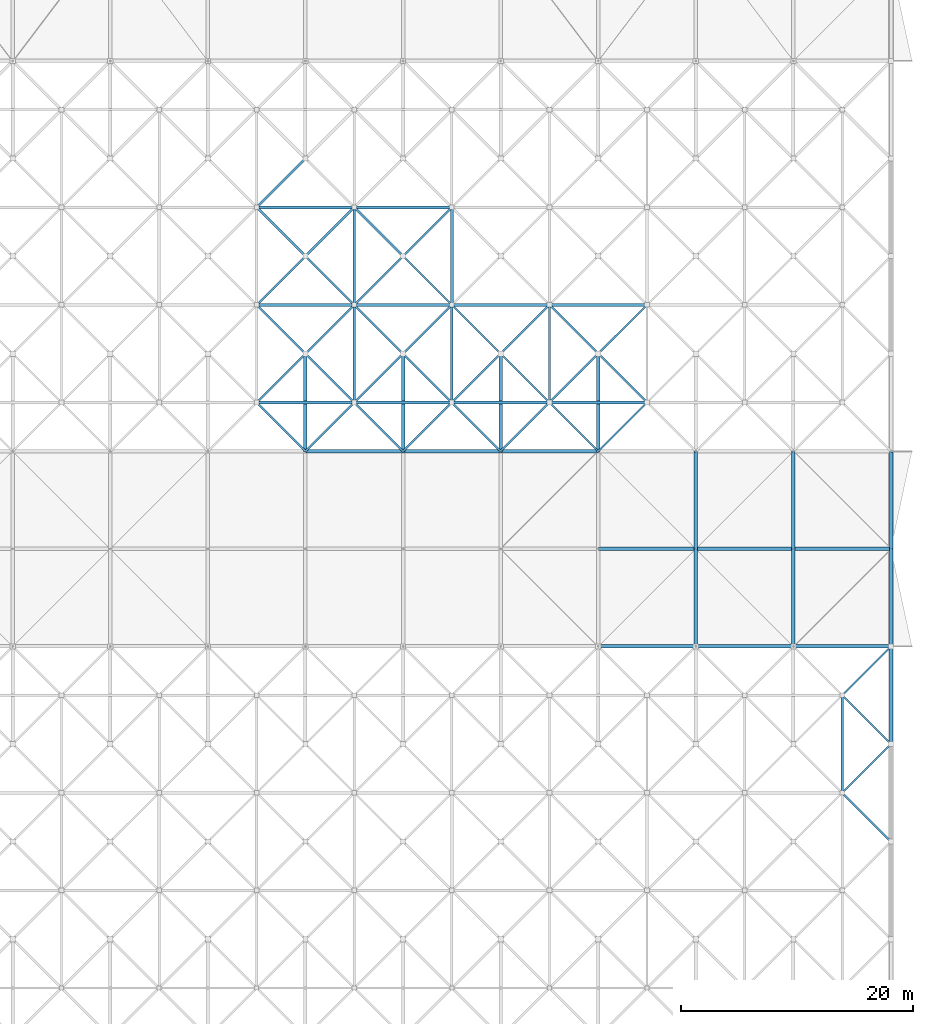
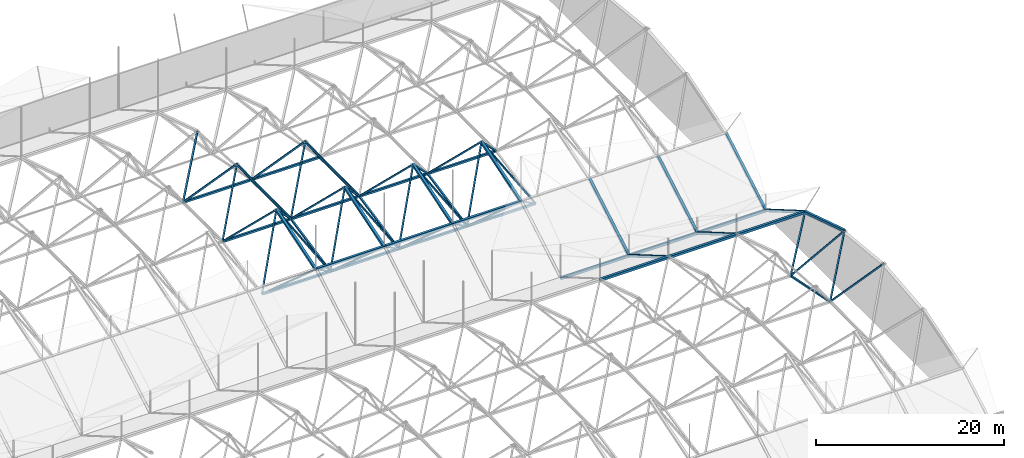
# One storey, part 14 of 111: 73 members.
"""IFC4 building model written with IfcOpenShell, lengths in metres."""

from ifc_helpers import new_model, si_unit, direction, frame, origin, origin_2d, place, context, subcontext, project, spatial, hollow_rectangle, extrude, material, material_profile, profile_set, type_object, element, save


model = new_model("IFC4")

# Units and contexts
model_context = context("Model", 3, precision=1e-05, world=origin(), true_north=direction((0.0, 1.0)))
body_context = subcontext(model_context, "Body", "Model", "MODEL_VIEW")
ifc_project = project(units=[si_unit("LENGTHUNIT", "METRE"), si_unit("AREAUNIT", "SQUARE_METRE"), si_unit("VOLUMEUNIT", "CUBIC_METRE"), si_unit("PLANEANGLEUNIT", "RADIAN"), si_unit("MASSUNIT", "GRAM", prefix="KILO")], contexts=[model_context])

# Site, building, storey
site_placement = place(None, origin())
site = spatial("IfcSite", under=ifc_project, at=site_placement, CompositionType="ELEMENT")
building_placement = place(site_placement, origin())
building = spatial("IfcBuilding", under=site, at=building_placement, Name="Rain Tree Exposition and Congress Centre", CompositionType="ELEMENT")
storey_placement = place(building_placement, frame((0.0, 0.0, 19.5)))
storey = spatial("IfcBuildingStorey", under=building, at=storey_placement, Name="RF", CompositionType="ELEMENT", Elevation=19.5)

# Members
ifc_material_1 = material(Name="Steel S355J2H", Category="steel")
ifc_material_profile_1 = material_profile(ifc_material_1, hollow_rectangle(XDim=0.175048828125, YDim=0.175048828125, WallThickness=0.006103515625, at=origin_2d()), Name="RHS 175x175x6")
ifc_profile_set_1 = profile_set([ifc_material_profile_1], Name="Steel S355J2H")
member_type_1 = type_object("IfcMemberType", Name="Steel brace member RHS 175x175x6", PredefinedType="BRACE", material=ifc_profile_set_1)
member_1_placement = place(storey_placement, frame((239.39990234375, 130.199951171875, 2.68896484375), z_axis=(0.494938039954, -0.494909271177, 0.714213658445), x_axis=(0.70708622964, 0.707127332136, 0.0)))
element("IfcMember", 1, at=member_1_placement, inside=storey, type_object=member_type_1, Name="Diagonal 593", PredefinedType="BRACE", context=body_context, shape_type="SweptSolid", body=[
    extrude(hollow_rectangle(XDim=0.175048828125, YDim=0.175048828125, WallThickness=0.006103515625, at=origin_2d()), origin(), (0.0, 0.0, 1.0), 8.486328125),
])
member_2_placement = place(storey_placement, frame((239.39990234375, 130.199951171875, 2.68896484375), z_axis=(0.531520086899, 0.531489191753, 0.659549570747), x_axis=(-0.70708622964, 0.707127332136, 0.0)))
element("IfcMember", 2, at=member_2_placement, inside=storey, type_object=member_type_1, Name="Diagonal 595", PredefinedType="BRACE", context=body_context, shape_type="SweptSolid", body=[
    extrude(hollow_rectangle(XDim=0.175048828125, YDim=0.175048828125, WallThickness=0.006103515625, at=origin_2d()), origin(), (0.0, 0.0, 1.0), 7.90234375),
])
member_3_placement = place(storey_placement, frame((239.39990234375, 138.60009765625, 0.965087890625), z_axis=(0.459956183168, -0.459956183168, 0.759526575658), x_axis=(0.707106781187, 0.707106781187, 0.0)))
element("IfcMember", 3, at=member_3_placement, inside=storey, type_object=member_type_1, Name="Diagonal 664", PredefinedType="BRACE", context=body_context, shape_type="SweptSolid", body=[
    extrude(hollow_rectangle(XDim=0.175048828125, YDim=0.175048828125, WallThickness=0.006103515625, at=origin_2d()), origin(), (0.0, 0.0, 1.0), 9.1318359375),
])
member_4_placement = place(storey_placement, frame((239.39990234375, 138.60009765625, 0.965087890625), z_axis=(0.573759517816, 0.573726167461, 0.584498332321), x_axis=(-0.70708622964, 0.707127332136, 0.0)))
element("IfcMember", 4, at=member_4_placement, inside=storey, type_object=member_type_1, Name="Diagonal 666", PredefinedType="BRACE", context=body_context, shape_type="SweptSolid", body=[
    extrude(hollow_rectangle(XDim=0.175048828125, YDim=0.175048828125, WallThickness=0.006103515625, at=origin_2d()), origin(), (0.0, 0.0, 1.0), 7.320556640625),
])
member_5_placement = place(storey_placement, frame((189.0, 163.800048828125, 0.965087890625), z_axis=(0.573737145755, -0.573737145755, 0.584509516742), x_axis=(0.707106781187, 0.707106781187, 0.0)))
element("IfcMember", 5, at=member_5_placement, inside=storey, type_object=member_type_1, Name="Diagonal 841", PredefinedType="BRACE", context=body_context, shape_type="SweptSolid", body=[
    extrude(hollow_rectangle(XDim=0.175048828125, YDim=0.175048828125, WallThickness=0.006103515625, at=origin_2d()), origin(), (0.0, 0.0, 1.0), 7.3203125),
])
member_6_placement = place(storey_placement, frame((189.0, 163.800048828125, 0.965087890625), z_axis=(0.459940759453, 0.459940759453, 0.759545255787), x_axis=(-0.707106781187, 0.707106781187, 0.0)))
element("IfcMember", 6, at=member_6_placement, inside=storey, type_object=member_type_1, Name="Diagonal 843", PredefinedType="BRACE", context=body_context, shape_type="SweptSolid", body=[
    extrude(hollow_rectangle(XDim=0.175048828125, YDim=0.175048828125, WallThickness=0.006103515625, at=origin_2d()), origin(), (0.0, 0.0, 1.0), 9.131591796875),
])
member_7_placement = place(storey_placement, frame((197.39990234375, 163.800048828125, 0.965087890625), z_axis=(-0.573737145755, -0.573737145755, 0.584509516742), x_axis=(0.707106781187, -0.707106781187, 0.0)))
element("IfcMember", 7, at=member_7_placement, inside=storey, type_object=member_type_1, Name="Diagonal 846", PredefinedType="BRACE", context=body_context, shape_type="SweptSolid", body=[
    extrude(hollow_rectangle(XDim=0.175048828125, YDim=0.175048828125, WallThickness=0.006103515625, at=origin_2d()), origin(), (0.0, 0.0, 1.0), 7.3203125),
])
member_8_placement = place(storey_placement, frame((197.39990234375, 163.800048828125, 0.965087890625), z_axis=(0.573759517816, -0.573726167461, 0.584498332321), x_axis=(0.70708622964, 0.707127332136, 0.0)))
element("IfcMember", 8, at=member_8_placement, inside=storey, type_object=member_type_1, Name="Diagonal 847", PredefinedType="BRACE", context=body_context, shape_type="SweptSolid", body=[
    extrude(hollow_rectangle(XDim=0.175048828125, YDim=0.175048828125, WallThickness=0.006103515625, at=origin_2d()), origin(), (0.0, 0.0, 1.0), 7.320556640625),
])
for number, where, z_axis, x_axis, name in (
    (9, (197.39990234375, 163.800048828125, 0.965087890625), (-0.459940759453, 0.459940759453, 0.759545255787), (-0.707106781187, -0.707106781187, 0.0), "Diagonal 848"),
    (10, (197.39990234375, 163.800048828125, 0.965087890625), (0.459961839245, 0.459935103496, 0.75953591555), (-0.70708622964, 0.707127332136, 0.0), "Diagonal 849"),
):
    element("IfcMember", number, at=place(storey_placement, frame(where, z_axis=z_axis, x_axis=x_axis)), inside=storey, type_object=member_type_1, Name=name, PredefinedType="BRACE", context=body_context, shape_type="SweptSolid", body=[
        extrude(hollow_rectangle(XDim=0.175048828125, YDim=0.175048828125, WallThickness=0.006103515625, at=origin_2d()), origin(), (0.0, 0.0, 1.0), 9.131591796875),
    ])
for number, where, z_axis, x_axis, name in (
    (11, (205.800048828125, 163.800048828125, 0.965087890625), (-0.573737145755, -0.573737145755, 0.584509516742), (0.707106781187, -0.707106781187, 0.0), "Diagonal 852"),
    (12, (205.800048828125, 163.800048828125, 0.965087890625), (0.573737145755, -0.573737145755, 0.584509516742), (0.707106781187, 0.707106781187, 0.0), "Diagonal 853"),
):
    element("IfcMember", number, at=place(storey_placement, frame(where, z_axis=z_axis, x_axis=x_axis)), inside=storey, type_object=member_type_1, Name=name, PredefinedType="BRACE", context=body_context, shape_type="SweptSolid", body=[
        extrude(hollow_rectangle(XDim=0.175048828125, YDim=0.175048828125, WallThickness=0.006103515625, at=origin_2d()), origin(), (0.0, 0.0, 1.0), 7.3203125),
    ])
for number, where, z_axis, x_axis, name in (
    (13, (205.800048828125, 163.800048828125, 0.965087890625), (-0.459940759453, 0.459940759453, 0.759545255787), (-0.707106781187, -0.707106781187, 0.0), "Diagonal 854"),
    (14, (205.800048828125, 163.800048828125, 0.965087890625), (0.459940759453, 0.459940759453, 0.759545255787), (-0.707106781187, 0.707106781187, 0.0), "Diagonal 855"),
):
    element("IfcMember", number, at=place(storey_placement, frame(where, z_axis=z_axis, x_axis=x_axis)), inside=storey, type_object=member_type_1, Name=name, PredefinedType="BRACE", context=body_context, shape_type="SweptSolid", body=[
        extrude(hollow_rectangle(XDim=0.175048828125, YDim=0.175048828125, WallThickness=0.006103515625, at=origin_2d()), origin(), (0.0, 0.0, 1.0), 9.131591796875),
    ])
for number, where, z_axis, x_axis, name in (
    (15, (214.199951171875, 163.800048828125, 0.965087890625), (-0.573737145755, -0.573737145755, 0.584509516742), (0.707106781187, -0.707106781187, 0.0), "Diagonal 858"),
    (16, (214.199951171875, 163.800048828125, 0.965087890625), (0.573737145755, -0.573737145755, 0.584509516742), (0.707106781187, 0.707106781187, 0.0), "Diagonal 859"),
):
    element("IfcMember", number, at=place(storey_placement, frame(where, z_axis=z_axis, x_axis=x_axis)), inside=storey, type_object=member_type_1, Name=name, PredefinedType="BRACE", context=body_context, shape_type="SweptSolid", body=[
        extrude(hollow_rectangle(XDim=0.175048828125, YDim=0.175048828125, WallThickness=0.006103515625, at=origin_2d()), origin(), (0.0, 0.0, 1.0), 7.3203125),
    ])
for number, where, z_axis, x_axis, name in (
    (17, (214.199951171875, 163.800048828125, 0.965087890625), (-0.459940759453, 0.459940759453, 0.759545255787), (-0.707106781187, -0.707106781187, 0.0), "Diagonal 860"),
    (18, (214.199951171875, 163.800048828125, 0.965087890625), (0.459940759453, 0.459940759453, 0.759545255787), (-0.707106781187, 0.707106781187, 0.0), "Diagonal 861"),
):
    element("IfcMember", number, at=place(storey_placement, frame(where, z_axis=z_axis, x_axis=x_axis)), inside=storey, type_object=member_type_1, Name=name, PredefinedType="BRACE", context=body_context, shape_type="SweptSolid", body=[
        extrude(hollow_rectangle(XDim=0.175048828125, YDim=0.175048828125, WallThickness=0.006103515625, at=origin_2d()), origin(), (0.0, 0.0, 1.0), 9.131591796875),
    ])
member_9_placement = place(storey_placement, frame((222.60009765625, 163.800048828125, 0.965087890625), z_axis=(-0.573759517816, -0.573726167461, 0.584498332321), x_axis=(0.70708622964, -0.707127332136, 0.0)))
element("IfcMember", 19, at=member_9_placement, inside=storey, type_object=member_type_1, Name="Diagonal 864", PredefinedType="BRACE", context=body_context, shape_type="SweptSolid", body=[
    extrude(hollow_rectangle(XDim=0.175048828125, YDim=0.175048828125, WallThickness=0.006103515625, at=origin_2d()), origin(), (0.0, 0.0, 1.0), 7.320556640625),
])
member_10_placement = place(storey_placement, frame((222.60009765625, 163.800048828125, 0.965087890625), z_axis=(-0.459961839245, 0.459935103496, 0.75953591555), x_axis=(-0.70708622964, -0.707127332136, 0.0)))
element("IfcMember", 20, at=member_10_placement, inside=storey, type_object=member_type_1, Name="Diagonal 866", PredefinedType="BRACE", context=body_context, shape_type="SweptSolid", body=[
    extrude(hollow_rectangle(XDim=0.175048828125, YDim=0.175048828125, WallThickness=0.006103515625, at=origin_2d()), origin(), (0.0, 0.0, 1.0), 9.131591796875),
])
member_11_placement = place(storey_placement, frame((189.0, 172.199951171875, 2.68896484375), z_axis=(0.531497919506, -0.531497919506, 0.65956040142), x_axis=(0.707106781187, 0.707106781187, 0.0)))
element("IfcMember", 21, at=member_11_placement, inside=storey, type_object=member_type_1, Name="Diagonal 912", PredefinedType="BRACE", context=body_context, shape_type="SweptSolid", body=[
    extrude(hollow_rectangle(XDim=0.175048828125, YDim=0.175048828125, WallThickness=0.006103515625, at=origin_2d()), origin(), (0.0, 0.0, 1.0), 7.902099609375),
])
member_12_placement = place(storey_placement, frame((189.0, 172.199951171875, 2.68896484375), z_axis=(0.494916318018, 0.494916318018, 0.714223827885), x_axis=(-0.707106781187, 0.707106781187, 0.0)))
element("IfcMember", 22, at=member_12_placement, inside=storey, type_object=member_type_1, Name="Diagonal 914", PredefinedType="BRACE", context=body_context, shape_type="SweptSolid", body=[
    extrude(hollow_rectangle(XDim=0.175048828125, YDim=0.175048828125, WallThickness=0.006103515625, at=origin_2d()), origin(), (0.0, 0.0, 1.0), 8.486083984375),
])
member_13_placement = place(storey_placement, frame((197.39990234375, 172.199951171875, 2.68896484375), z_axis=(-0.531497919506, -0.531497919506, 0.65956040142), x_axis=(0.707106781187, -0.707106781187, 0.0)))
element("IfcMember", 23, at=member_13_placement, inside=storey, type_object=member_type_1, Name="Diagonal 917", PredefinedType="BRACE", context=body_context, shape_type="SweptSolid", body=[
    extrude(hollow_rectangle(XDim=0.175048828125, YDim=0.175048828125, WallThickness=0.006103515625, at=origin_2d()), origin(), (0.0, 0.0, 1.0), 7.902099609375),
])
member_14_placement = place(storey_placement, frame((197.39990234375, 172.199951171875, 2.68896484375), z_axis=(0.531520086899, -0.531489191753, 0.659549570747), x_axis=(0.70708622964, 0.707127332136, 0.0)))
element("IfcMember", 24, at=member_14_placement, inside=storey, type_object=member_type_1, Name="Diagonal 918", PredefinedType="BRACE", context=body_context, shape_type="SweptSolid", body=[
    extrude(hollow_rectangle(XDim=0.175048828125, YDim=0.175048828125, WallThickness=0.006103515625, at=origin_2d()), origin(), (0.0, 0.0, 1.0), 7.90234375),
])
member_15_placement = place(storey_placement, frame((197.39990234375, 172.199951171875, 2.68896484375), z_axis=(-0.494916318018, 0.494916318018, 0.714223827885), x_axis=(-0.707106781187, -0.707106781187, 0.0)))
element("IfcMember", 25, at=member_15_placement, inside=storey, type_object=member_type_1, Name="Diagonal 919", PredefinedType="BRACE", context=body_context, shape_type="SweptSolid", body=[
    extrude(hollow_rectangle(XDim=0.175048828125, YDim=0.175048828125, WallThickness=0.006103515625, at=origin_2d()), origin(), (0.0, 0.0, 1.0), 8.486083984375),
])
member_16_placement = place(storey_placement, frame((197.39990234375, 172.199951171875, 2.68896484375), z_axis=(0.494938039954, 0.494909271177, 0.714213658445), x_axis=(-0.70708622964, 0.707127332136, 0.0)))
element("IfcMember", 26, at=member_16_placement, inside=storey, type_object=member_type_1, Name="Diagonal 920", PredefinedType="BRACE", context=body_context, shape_type="SweptSolid", body=[
    extrude(hollow_rectangle(XDim=0.175048828125, YDim=0.175048828125, WallThickness=0.006103515625, at=origin_2d()), origin(), (0.0, 0.0, 1.0), 8.486328125),
])
for number, where, z_axis, x_axis, name in (
    (27, (205.800048828125, 172.199951171875, 2.68896484375), (-0.531497919506, -0.531497919506, 0.65956040142), (0.707106781187, -0.707106781187, 0.0), "Diagonal 923"),
    (28, (205.800048828125, 172.199951171875, 2.68896484375), (0.531497919506, -0.531497919506, 0.65956040142), (0.707106781187, 0.707106781187, 0.0), "Diagonal 924"),
):
    element("IfcMember", number, at=place(storey_placement, frame(where, z_axis=z_axis, x_axis=x_axis)), inside=storey, type_object=member_type_1, Name=name, PredefinedType="BRACE", context=body_context, shape_type="SweptSolid", body=[
        extrude(hollow_rectangle(XDim=0.175048828125, YDim=0.175048828125, WallThickness=0.006103515625, at=origin_2d()), origin(), (0.0, 0.0, 1.0), 7.902099609375),
    ])
member_17_placement = place(storey_placement, frame((205.800048828125, 172.199951171875, 2.68896484375), z_axis=(-0.494916318018, 0.494916318018, 0.714223827885), x_axis=(-0.707106781187, -0.707106781187, 0.0)))
element("IfcMember", 29, at=member_17_placement, inside=storey, type_object=member_type_1, Name="Diagonal 925", PredefinedType="BRACE", context=body_context, shape_type="SweptSolid", body=[
    extrude(hollow_rectangle(XDim=0.175048828125, YDim=0.175048828125, WallThickness=0.006103515625, at=origin_2d()), origin(), (0.0, 0.0, 1.0), 8.486083984375),
])
for number, where, z_axis, x_axis, name in (
    (30, (214.199951171875, 172.199951171875, 2.68896484375), (-0.531497919506, -0.531497919506, 0.65956040142), (0.707106781187, -0.707106781187, 0.0), "Diagonal 929"),
    (31, (214.199951171875, 172.199951171875, 2.68896484375), (0.531497919506, -0.531497919506, 0.65956040142), (0.707106781187, 0.707106781187, 0.0), "Diagonal 930"),
):
    element("IfcMember", number, at=place(storey_placement, frame(where, z_axis=z_axis, x_axis=x_axis)), inside=storey, type_object=member_type_1, Name=name, PredefinedType="BRACE", context=body_context, shape_type="SweptSolid", body=[
        extrude(hollow_rectangle(XDim=0.175048828125, YDim=0.175048828125, WallThickness=0.006103515625, at=origin_2d()), origin(), (0.0, 0.0, 1.0), 7.902099609375),
    ])
member_18_placement = place(storey_placement, frame((222.60009765625, 172.199951171875, 2.68896484375), z_axis=(-0.531520086899, -0.531489191753, 0.659549570747), x_axis=(0.70708622964, -0.707127332136, 0.0)))
element("IfcMember", 32, at=member_18_placement, inside=storey, type_object=member_type_1, Name="Diagonal 935", PredefinedType="BRACE", context=body_context, shape_type="SweptSolid", body=[
    extrude(hollow_rectangle(XDim=0.175048828125, YDim=0.175048828125, WallThickness=0.006103515625, at=origin_2d()), origin(), (0.0, 0.0, 1.0), 7.90234375),
])
ifc_material_2 = material(Name="Steel S355J2H", Category="steel")
ifc_material_profile_2 = material_profile(ifc_material_2, hollow_rectangle(XDim=0.199951171875, YDim=0.199951171875, WallThickness=0.009033203125, at=origin_2d()), Name="RHS 200x200x9")
ifc_profile_set_2 = profile_set([ifc_material_profile_2], Name="Steel S355J2H")
member_type_2 = type_object("IfcMemberType", Name="Steel brace member RHS 200x200x9", PredefinedType="BRACE", material=ifc_profile_set_2)
member_19_placement = place(storey_placement, frame((189.0, 180.60009765625, 2.68896484375), z_axis=(0.494909271177, -0.494938039954, 0.714213658445), x_axis=(0.707127332136, 0.70708622964, 0.0)))
element("IfcMember", 33, at=member_19_placement, inside=storey, type_object=member_type_2, Name="Diagonal 983", PredefinedType="BRACE", context=body_context, shape_type="SweptSolid", body=[
    extrude(hollow_rectangle(XDim=0.199951171875, YDim=0.199951171875, WallThickness=0.009033203125, at=origin_2d()), origin(), (0.0, 0.0, 1.0), 8.486328125),
])
member_20_placement = place(storey_placement, frame((189.0, 180.60009765625, 2.68896484375), z_axis=(0.531497919506, 0.531497919506, 0.65956040142), x_axis=(-0.707106781187, 0.707106781187, 0.0)))
element("IfcMember", 34, at=member_20_placement, inside=storey, type_object=member_type_2, Name="Diagonal 985", PredefinedType="BRACE", context=body_context, shape_type="SweptSolid", body=[
    extrude(hollow_rectangle(XDim=0.199951171875, YDim=0.199951171875, WallThickness=0.009033203125, at=origin_2d()), origin(), (0.0, 0.0, 1.0), 7.902099609375),
])
for number, where, z_axis, x_axis, name in (
    (35, (197.39990234375, 180.60009765625, 2.68896484375), (-0.494909271177, -0.494938039954, 0.714213658445), (0.707127332136, -0.70708622964, 0.0), "Diagonal 988"),
    (36, (197.39990234375, 180.60009765625, 2.68896484375), (0.494930993004, -0.494930993004, 0.71420348944), (0.707106781187, 0.707106781187, 0.0), "Diagonal 989"),
    (37, (205.800048828125, 180.60009765625, 2.68896484375), (-0.494909271177, -0.494938039954, 0.714213658445), (0.707127332136, -0.70708622964, 0.0), "Diagonal 994"),
):
    element("IfcMember", number, at=place(storey_placement, frame(where, z_axis=z_axis, x_axis=x_axis)), inside=storey, type_object=member_type_2, Name=name, PredefinedType="BRACE", context=body_context, shape_type="SweptSolid", body=[
        extrude(hollow_rectangle(XDim=0.199951171875, YDim=0.199951171875, WallThickness=0.009033203125, at=origin_2d()), origin(), (0.0, 0.0, 1.0), 8.486328125),
    ])
ifc_material_3 = material(Name="Steel S355J2H", Category="steel")
ifc_material_profile_3 = material_profile(ifc_material_3, hollow_rectangle(XDim=0.199951171875, YDim=0.199951171875, WallThickness=0.009033203125, at=origin_2d()), Name="RHS 200x200x9")
ifc_profile_set_3 = profile_set([ifc_material_profile_3], Name="Steel S355J2H")
member_type_3 = type_object("IfcMemberType", Name="Steel chord member RHS 200x200x9", PredefinedType="CHORD", material=ifc_profile_set_3)
member_21_placement = place(storey_placement, frame((239.39990234375, 130.199951171875, 2.68896484375), z_axis=(0.0, 0.979585021781, -0.201030308914), x_axis=(-1.0, 0.0, 0.0)))
element("IfcMember", 38, at=member_21_placement, inside=storey, type_object=member_type_3, Name="Bottom chord 596", PredefinedType="CHORD", context=body_context, shape_type="SweptSolid", body=[
    extrude(hollow_rectangle(XDim=0.199951171875, YDim=0.199951171875, WallThickness=0.009033203125, at=origin_2d()), origin(), (0.0, 0.0, 1.0), 8.5751953125),
])
for number, where, z_axis, x_axis, name in (
    (39, (197.39990234375, 163.800048828125, 0.965087890625), (0.0, 0.979583871149, 0.20103591566), (-1.0, 0.0, 0.0), "Bottom chord 851"),
    (40, (205.800048828125, 163.800048828125, 0.965087890625), (0.0, 0.979583871149, 0.20103591566), (-1.0, 0.0, 0.0), "Bottom chord 857"),
    (41, (214.199951171875, 163.800048828125, 0.965087890625), (0.0, 0.979583871149, 0.20103591566), (-1.0, 0.0, 0.0), "Bottom chord 863"),
):
    element("IfcMember", number, at=place(storey_placement, frame(where, z_axis=z_axis, x_axis=x_axis)), inside=storey, type_object=member_type_3, Name=name, PredefinedType="CHORD", context=body_context, shape_type="SweptSolid", body=[
        extrude(hollow_rectangle(XDim=0.199951171875, YDim=0.199951171875, WallThickness=0.009033203125, at=origin_2d()), origin(), (0.0, 0.0, 1.0), 8.574951171875),
    ])
ifc_material_4 = material(Name="Steel S355J2H", Category="steel")
ifc_material_profile_4 = material_profile(ifc_material_4, hollow_rectangle(XDim=0.25, YDim=0.25, WallThickness=0.006103515625, at=origin_2d()), Name="RHS 250x250x6")
ifc_profile_set_4 = profile_set([ifc_material_profile_4], Name="Steel S355J2H")
member_type_4 = type_object("IfcMemberType", Name="Steel chord member RHS 250x250x6", PredefinedType="CHORD", material=ifc_profile_set_4)
member_22_placement = place(storey_placement, frame((189.0, 163.800048828125, 0.965087890625), z_axis=(1.0, 0.0, 0.0), x_axis=(0.0, 1.0, 0.0)))
element("IfcMember", 42, at=member_22_placement, inside=storey, type_object=member_type_4, Name="Bottom chord 844", PredefinedType="CHORD", context=body_context, shape_type="SweptSolid", body=[
    extrude(hollow_rectangle(XDim=0.25, YDim=0.25, WallThickness=0.006103515625, at=origin_2d()), origin(), (0.0, 0.0, 1.0), 8.39990234375),
])
member_23_placement = place(storey_placement, frame((197.39990234375, 163.800048828125, 0.965087890625), z_axis=(1.0, 0.0, 0.0), x_axis=(0.0, 1.0, 0.0)))
element("IfcMember", 43, at=member_23_placement, inside=storey, type_object=member_type_4, Name="Bottom chord 850", PredefinedType="CHORD", context=body_context, shape_type="SweptSolid", body=[
    extrude(hollow_rectangle(XDim=0.25, YDim=0.25, WallThickness=0.006103515625, at=origin_2d()), origin(), (0.0, 0.0, 1.0), 8.400146484375),
])
member_24_placement = place(storey_placement, frame((205.800048828125, 163.800048828125, 0.965087890625), z_axis=(1.0, 0.0, 0.0), x_axis=(0.0, 1.0, 0.0)))
element("IfcMember", 44, at=member_24_placement, inside=storey, type_object=member_type_4, Name="Bottom chord 856", PredefinedType="CHORD", context=body_context, shape_type="SweptSolid", body=[
    extrude(hollow_rectangle(XDim=0.25, YDim=0.25, WallThickness=0.006103515625, at=origin_2d()), origin(), (0.0, 0.0, 1.0), 8.39990234375),
])
member_25_placement = place(storey_placement, frame((214.199951171875, 163.800048828125, 0.965087890625), z_axis=(1.0, 0.0, 0.0), x_axis=(0.0, 1.0, 0.0)))
element("IfcMember", 45, at=member_25_placement, inside=storey, type_object=member_type_4, Name="Bottom chord 862", PredefinedType="CHORD", context=body_context, shape_type="SweptSolid", body=[
    extrude(hollow_rectangle(XDim=0.25, YDim=0.25, WallThickness=0.006103515625, at=origin_2d()), origin(), (0.0, 0.0, 1.0), 8.400146484375),
])
member_26_placement = place(storey_placement, frame((189.0, 172.199951171875, 2.68896484375), z_axis=(1.0, 0.0, 0.0), x_axis=(0.0, 1.0, 0.0)))
element("IfcMember", 46, at=member_26_placement, inside=storey, type_object=member_type_4, Name="Bottom chord 915", PredefinedType="CHORD", context=body_context, shape_type="SweptSolid", body=[
    extrude(hollow_rectangle(XDim=0.25, YDim=0.25, WallThickness=0.006103515625, at=origin_2d()), origin(), (0.0, 0.0, 1.0), 8.39990234375),
])
for number, where, z_axis, x_axis, name in (
    (47, (197.39990234375, 172.199951171875, 2.68896484375), (1.0, 0.0, 0.0), (0.0, 1.0, 0.0), "Bottom chord 921"),
    (48, (197.39990234375, 172.199951171875, 2.68896484375), (0.0, 1.0, 0.0), (-1.0, 0.0, 0.0), "Bottom chord 922"),
):
    element("IfcMember", number, at=place(storey_placement, frame(where, z_axis=z_axis, x_axis=x_axis)), inside=storey, type_object=member_type_4, Name=name, PredefinedType="CHORD", context=body_context, shape_type="SweptSolid", body=[
        extrude(hollow_rectangle(XDim=0.25, YDim=0.25, WallThickness=0.006103515625, at=origin_2d()), origin(), (0.0, 0.0, 1.0), 8.400146484375),
    ])
member_27_placement = place(storey_placement, frame((205.800048828125, 172.199951171875, 2.68896484375), z_axis=(1.0, 0.0, 0.0), x_axis=(0.0, 1.0, 0.0)))
element("IfcMember", 49, at=member_27_placement, inside=storey, type_object=member_type_4, Name="Bottom chord 927", PredefinedType="CHORD", context=body_context, shape_type="SweptSolid", body=[
    extrude(hollow_rectangle(XDim=0.25, YDim=0.25, WallThickness=0.006103515625, at=origin_2d()), origin(), (0.0, 0.0, 1.0), 8.39990234375),
])
for number, where, z_axis, x_axis, name in (
    (50, (205.800048828125, 172.199951171875, 2.68896484375), (0.0, 1.0, 0.0), (-1.0, 0.0, 0.0), "Bottom chord 928"),
    (51, (214.199951171875, 172.199951171875, 2.68896484375), (1.0, 0.0, 0.0), (0.0, 1.0, 0.0), "Bottom chord 933"),
):
    element("IfcMember", number, at=place(storey_placement, frame(where, z_axis=z_axis, x_axis=x_axis)), inside=storey, type_object=member_type_4, Name=name, PredefinedType="CHORD", context=body_context, shape_type="SweptSolid", body=[
        extrude(hollow_rectangle(XDim=0.25, YDim=0.25, WallThickness=0.006103515625, at=origin_2d()), origin(), (0.0, 0.0, 1.0), 8.400146484375),
    ])
member_28_placement = place(storey_placement, frame((189.0, 180.60009765625, 2.68896484375), z_axis=(1.0, 0.0, 0.0), x_axis=(0.0, 1.0, 0.0)))
element("IfcMember", 52, at=member_28_placement, inside=storey, type_object=member_type_4, Name="Bottom chord 986", PredefinedType="CHORD", context=body_context, shape_type="SweptSolid", body=[
    extrude(hollow_rectangle(XDim=0.25, YDim=0.25, WallThickness=0.006103515625, at=origin_2d()), origin(), (0.0, 0.0, 1.0), 8.39990234375),
])
member_29_placement = place(storey_placement, frame((197.39990234375, 180.60009765625, 2.68896484375), z_axis=(1.0, 0.0, 0.0), x_axis=(0.0, 1.0, 0.0)))
element("IfcMember", 53, at=member_29_placement, inside=storey, type_object=member_type_4, Name="Bottom chord 992", PredefinedType="CHORD", context=body_context, shape_type="SweptSolid", body=[
    extrude(hollow_rectangle(XDim=0.25, YDim=0.25, WallThickness=0.006103515625, at=origin_2d()), origin(), (0.0, 0.0, 1.0), 8.400146484375),
])
ifc_material_5 = material(Name="Steel S355J2H", Category="steel")
ifc_material_profile_5 = material_profile(ifc_material_5, hollow_rectangle(XDim=0.300048828125, YDim=0.300048828125, WallThickness=0.009033203125, at=origin_2d()), Name="RHS 300x300x9")
ifc_profile_set_5 = profile_set([ifc_material_profile_5], Name="Steel S355J2H")
member_type_5 = type_object("IfcMemberType", Name="Steel chord member RHS 300x300x9", PredefinedType="CHORD", material=ifc_profile_set_5)
member_30_placement = place(storey_placement, frame((218.39990234375, 142.800048828125, 5.243896484375), z_axis=(1.0, 0.0, 0.0), x_axis=(0.0, 1.0, 0.0)))
element("IfcMember", 54, at=member_30_placement, inside=storey, type_object=member_type_5, Name="Top chord 70", PredefinedType="CHORD", context=body_context, shape_type="SweptSolid", body=[
    extrude(hollow_rectangle(XDim=0.300048828125, YDim=0.300048828125, WallThickness=0.009033203125, at=origin_2d()), origin(), (0.0, 0.0, 1.0), 8.400146484375),
])
member_31_placement = place(storey_placement, frame((226.800048828125, 142.800048828125, 5.243896484375), z_axis=(1.0, 0.0, 0.0), x_axis=(0.0, 1.0, 0.0)))
element("IfcMember", 55, at=member_31_placement, inside=storey, type_object=member_type_5, Name="Top chord 71", PredefinedType="CHORD", context=body_context, shape_type="SweptSolid", body=[
    extrude(hollow_rectangle(XDim=0.300048828125, YDim=0.300048828125, WallThickness=0.009033203125, at=origin_2d()), origin(), (0.0, 0.0, 1.0), 8.39990234375),
])
for number, where, z_axis, x_axis, name in (
    (56, (235.199951171875, 142.800048828125, 5.243896484375), (1.0, 0.0, 0.0), (0.0, 1.0, 0.0), "Top chord 72"),
    (57, (218.39990234375, 151.199951171875, 0.35009765625), (1.0, 0.0, 0.0), (0.0, 1.0, 0.0), "Top chord 82"),
):
    element("IfcMember", number, at=place(storey_placement, frame(where, z_axis=z_axis, x_axis=x_axis)), inside=storey, type_object=member_type_5, Name=name, PredefinedType="CHORD", context=body_context, shape_type="SweptSolid", body=[
        extrude(hollow_rectangle(XDim=0.300048828125, YDim=0.300048828125, WallThickness=0.009033203125, at=origin_2d()), origin(), (0.0, 0.0, 1.0), 8.400146484375),
    ])
member_32_placement = place(storey_placement, frame((226.800048828125, 151.199951171875, 0.35009765625), z_axis=(1.0, 0.0, 0.0), x_axis=(0.0, 1.0, 0.0)))
element("IfcMember", 58, at=member_32_placement, inside=storey, type_object=member_type_5, Name="Top chord 83", PredefinedType="CHORD", context=body_context, shape_type="SweptSolid", body=[
    extrude(hollow_rectangle(XDim=0.300048828125, YDim=0.300048828125, WallThickness=0.009033203125, at=origin_2d()), origin(), (0.0, 0.0, 1.0), 8.39990234375),
])
for number, where, z_axis, x_axis, name in (
    (59, (235.199951171875, 151.199951171875, 0.35009765625), (1.0, 0.0, 0.0), (0.0, 1.0, 0.0), "Top chord 84"),
    (60, (193.199951171875, 159.60009765625, 5.243896484375), (1.0, 0.0, 0.0), (0.0, 1.0, 0.0), "Top chord 91"),
):
    element("IfcMember", number, at=place(storey_placement, frame(where, z_axis=z_axis, x_axis=x_axis)), inside=storey, type_object=member_type_5, Name=name, PredefinedType="CHORD", context=body_context, shape_type="SweptSolid", body=[
        extrude(hollow_rectangle(XDim=0.300048828125, YDim=0.300048828125, WallThickness=0.009033203125, at=origin_2d()), origin(), (0.0, 0.0, 1.0), 8.400146484375),
    ])
for number, where, z_axis, x_axis, name in (
    (61, (201.60009765625, 159.60009765625, 5.243896484375), (1.0, 0.0, 0.0), (0.0, 1.0, 0.0), "Top chord 92"),
    (62, (210.0, 159.60009765625, 5.243896484375), (1.0, 0.0, 0.0), (0.0, 1.0, 0.0), "Top chord 93"),
):
    element("IfcMember", number, at=place(storey_placement, frame(where, z_axis=z_axis, x_axis=x_axis)), inside=storey, type_object=member_type_5, Name=name, PredefinedType="CHORD", context=body_context, shape_type="SweptSolid", body=[
        extrude(hollow_rectangle(XDim=0.300048828125, YDim=0.300048828125, WallThickness=0.009033203125, at=origin_2d()), origin(), (0.0, 0.0, 1.0), 8.39990234375),
    ])
for number, where, z_axis, x_axis, name in (
    (63, (193.199951171875, 159.60009765625, 5.243896484375), (0.0, 0.953439742772, 0.301583581951), (-1.0, 0.0, 0.0), "Top chord 236"),
    (64, (201.60009765625, 159.60009765625, 5.243896484375), (0.0, 0.953439742772, 0.301583581951), (-1.0, 0.0, 0.0), "Top chord 248"),
    (65, (210.0, 159.60009765625, 5.243896484375), (0.0, 0.953439742772, 0.301583581951), (-1.0, 0.0, 0.0), "Top chord 260"),
    (66, (218.39990234375, 159.60009765625, 5.243896484375), (0.0, 0.953439742772, 0.301583581951), (-1.0, 0.0, 0.0), "Top chord 272"),
):
    element("IfcMember", number, at=place(storey_placement, frame(where, z_axis=z_axis, x_axis=x_axis)), inside=storey, type_object=member_type_5, Name=name, PredefinedType="CHORD", context=body_context, shape_type="SweptSolid", body=[
        extrude(hollow_rectangle(XDim=0.300048828125, YDim=0.300048828125, WallThickness=0.009033203125, at=origin_2d()), origin(), (0.0, 0.0, 1.0), 8.81005859375),
    ])
member_33_placement = place(storey_placement, frame((226.800048828125, 142.800048828125, 5.243896484375), z_axis=(0.0, 0.864053849191, -0.503399389846), x_axis=(-1.0, 0.0, 0.0)))
element("IfcMember", 67, at=member_33_placement, inside=storey, type_object=member_type_5, Name="Top chord 282", PredefinedType="CHORD", context=body_context, shape_type="SweptSolid", body=[
    extrude(hollow_rectangle(XDim=0.300048828125, YDim=0.300048828125, WallThickness=0.009033203125, at=origin_2d()), origin(), (0.0, 0.0, 1.0), 9.721435546875),
])
member_34_placement = place(storey_placement, frame((226.800048828125, 151.199951171875, 0.35009765625), z_axis=(0.0, 0.864060213011, 0.503388466585), x_axis=(-1.0, 0.0, 0.0)))
element("IfcMember", 68, at=member_34_placement, inside=storey, type_object=member_type_5, Name="Top chord 283", PredefinedType="CHORD", context=body_context, shape_type="SweptSolid", body=[
    extrude(hollow_rectangle(XDim=0.300048828125, YDim=0.300048828125, WallThickness=0.009033203125, at=origin_2d()), origin(), (0.0, 0.0, 1.0), 9.7216796875),
])
member_35_placement = place(storey_placement, frame((235.199951171875, 142.800048828125, 5.243896484375), z_axis=(0.0, 0.864053849191, -0.503399389846), x_axis=(-1.0, 0.0, 0.0)))
element("IfcMember", 69, at=member_35_placement, inside=storey, type_object=member_type_5, Name="Top chord 294", PredefinedType="CHORD", context=body_context, shape_type="SweptSolid", body=[
    extrude(hollow_rectangle(XDim=0.300048828125, YDim=0.300048828125, WallThickness=0.009033203125, at=origin_2d()), origin(), (0.0, 0.0, 1.0), 9.721435546875),
])
member_36_placement = place(storey_placement, frame((235.199951171875, 151.199951171875, 0.35009765625), z_axis=(0.0, 0.864060213011, 0.503388466585), x_axis=(-1.0, 0.0, 0.0)))
element("IfcMember", 70, at=member_36_placement, inside=storey, type_object=member_type_5, Name="Top chord 295", PredefinedType="CHORD", context=body_context, shape_type="SweptSolid", body=[
    extrude(hollow_rectangle(XDim=0.300048828125, YDim=0.300048828125, WallThickness=0.009033203125, at=origin_2d()), origin(), (0.0, 0.0, 1.0), 9.7216796875),
])
member_37_placement = place(storey_placement, frame((243.60009765625, 134.39990234375, 7.90087890625), z_axis=(0.0, 0.953442263101, -0.301575613955), x_axis=(-1.0, 0.0, 0.0)))
element("IfcMember", 71, at=member_37_placement, inside=storey, type_object=member_type_5, Name="Top chord 305", PredefinedType="CHORD", context=body_context, shape_type="SweptSolid", body=[
    extrude(hollow_rectangle(XDim=0.300048828125, YDim=0.300048828125, WallThickness=0.009033203125, at=origin_2d()), origin(), (0.0, 0.0, 1.0), 8.810302734375),
])
member_38_placement = place(storey_placement, frame((243.60009765625, 142.800048828125, 5.243896484375), z_axis=(0.0, 0.864053849191, -0.503399389846), x_axis=(-1.0, 0.0, 0.0)))
element("IfcMember", 72, at=member_38_placement, inside=storey, type_object=member_type_5, Name="Top chord 306", PredefinedType="CHORD", context=body_context, shape_type="SweptSolid", body=[
    extrude(hollow_rectangle(XDim=0.300048828125, YDim=0.300048828125, WallThickness=0.009033203125, at=origin_2d()), origin(), (0.0, 0.0, 1.0), 9.721435546875),
])
member_39_placement = place(storey_placement, frame((243.60009765625, 151.199951171875, 0.35009765625), z_axis=(0.0, 0.864060213011, 0.503388466585), x_axis=(-1.0, 0.0, 0.0)))
element("IfcMember", 73, at=member_39_placement, inside=storey, type_object=member_type_5, Name="Top chord 307", PredefinedType="CHORD", context=body_context, shape_type="SweptSolid", body=[
    extrude(hollow_rectangle(XDim=0.300048828125, YDim=0.300048828125, WallThickness=0.009033203125, at=origin_2d()), origin(), (0.0, 0.0, 1.0), 9.7216796875),
])

save(model, "model.ifc")
